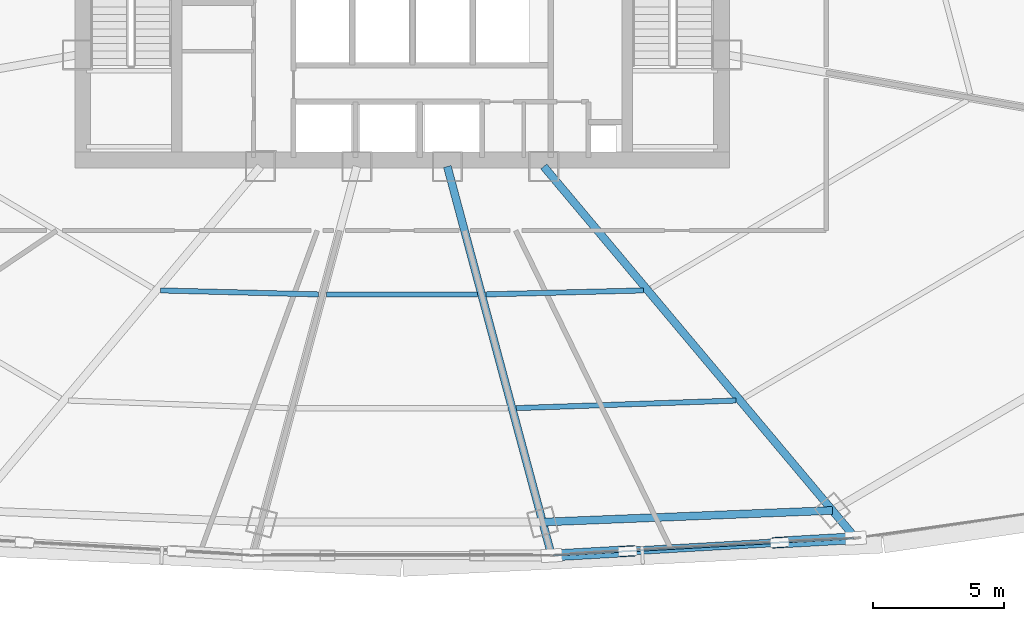
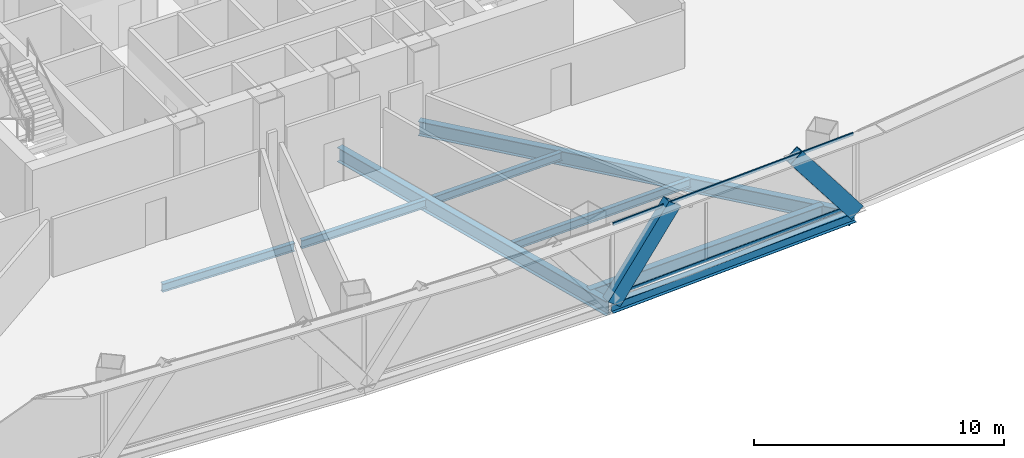
# One storey, part 13 of 41: 8 beams, 4 members, 1 element without a shape of its own.
"""IFC4 building model written with IfcOpenShell, lengths in metres."""

from ifc_helpers import new_model, si_unit, direction, frame, origin, origin_2d, place, context, subcontext, project, spatial, hollow_rectangle, i_section, extrude, source, transform, mapped, material, layer, layer_set, material_profile, profile_set, type_object, element, aggregate, save


model = new_model("IFC4")

# Units and contexts
model_context = context("Model", 3, precision=1e-05, world=origin(), true_north=direction((0.0, 1.0)))
body_context = subcontext(model_context, "Body", "Model", "MODEL_VIEW")
ifc_project = project(units=[si_unit("LENGTHUNIT", "METRE"), si_unit("AREAUNIT", "SQUARE_METRE"), si_unit("VOLUMEUNIT", "CUBIC_METRE"), si_unit("PLANEANGLEUNIT", "RADIAN"), si_unit("MASSUNIT", "GRAM", prefix="KILO"), si_unit("THERMODYNAMICTEMPERATUREUNIT", "KELVIN"), si_unit("POWERUNIT", "WATT")], contexts=[model_context])

# Site, building, storey
site_placement = place(None, origin())
site = spatial("IfcSite", under=ifc_project, at=site_placement, CompositionType="ELEMENT")
building_placement = place(site_placement, origin())
building = spatial("IfcBuilding", under=site, at=building_placement, Name="Yunzhuo Pagoda Commons", CompositionType="ELEMENT")
storey_placement = place(building_placement, frame((0.0, 0.0, 111.580078125)))
storey = spatial("IfcBuildingStorey", under=building, at=storey_placement, Name="L28", CompositionType="ELEMENT", Elevation=111.580078125)

# Beams
ifc_material_1 = material(Name="Structural steel Q355B", Category="steel")
ifc_material_profile_1 = material_profile(ifc_material_1, i_section(OverallWidth=0.300048828125, OverallDepth=0.699951171875, WebThickness=0.012939453125, FlangeThickness=0.02392578125, at=origin_2d()), Name="Structural steel Q355B")
ifc_profile_set_1 = profile_set([ifc_material_profile_1], Name="Structural steel Q355B")
beam_type_1 = type_object("IfcBeamType", Name="B-RG1 Beam HN 700x300x13x24", PredefinedType="BEAM", material=ifc_profile_set_1)
shared_shape_1 = source(origin(), body_context, "Body", "SweptSolid", [
    extrude(i_section(OverallWidth=0.300048828125, OverallDepth=0.699951171875, WebThickness=0.012939453125, FlangeThickness=0.02392578125, at=origin_2d()), origin(), (0.0, 0.0, 1.0), 11.077392578125),
])
beam_1_placement = place(storey_placement, frame((53.367431640625, 13.66845703125, -0.610107421875), z_axis=(0.999196975427, 0.040067496776, 0.0), x_axis=(-0.040067496776, 0.999196975427, 0.0)))
element("IfcBeam", 1, at=beam_1_placement, inside=storey, type_object=beam_type_1, Name="L28 column-ring beam 3", PredefinedType="BEAM", context=body_context, shape_type="MappedRepresentation", body=[
    mapped(shared_shape_1, transform((0.0, 0.0, 0.0), scale=1.0)),
])
ifc_material_profile_2 = material_profile(ifc_material_1, i_section(OverallWidth=0.199951171875, OverallDepth=0.39990234375, WebThickness=0.008056640625, FlangeThickness=0.012939453125, at=origin_2d()), Name="Structural steel Q355B")
ifc_profile_set_2 = profile_set([ifc_material_profile_2], Name="Structural steel Q355B")
beam_type_2 = type_object("IfcBeamType", Name="B-JS1 Joist HN 400x200x8x13", PredefinedType="JOIST", material=ifc_profile_set_2)
shared_shape_2 = source(origin(), body_context, "Body", "SweptSolid", [
    extrude(i_section(OverallWidth=0.199951171875, OverallDepth=0.39990234375, WebThickness=0.008056640625, FlangeThickness=0.012939453125, at=origin_2d()), origin(), (0.0, 0.0, 1.0), 6.026611328125),
])
for number, where, z_axis, x_axis, name in (
    (2, (38.778076171875, 22.516357421875, -0.4599609375), (0.99968248871, -0.025197654009, 0.0), (0.025197654009, 0.99968248871, 0.0), "L28 composite ring joist 1.1"),
    (3, (51.197265625, 22.364501953125, -0.4599609375), (0.99968248871, 0.025197654009, 0.0), (-0.025197654009, 0.99968248871, 0.0), "L28 composite ring joist 1.3"),
):
    element("IfcBeam", number, at=place(storey_placement, frame(where, z_axis=z_axis, x_axis=x_axis)), inside=storey, type_object=beam_type_2, Name=name, PredefinedType="JOIST", context=body_context, shape_type="MappedRepresentation", body=[
        mapped(shared_shape_2, transform((0.0, 0.0, 0.0), scale=1.0)),
    ])
shared_shape_3 = source(origin(), body_context, "Body", "SweptSolid", [
    extrude(i_section(OverallWidth=0.199951171875, OverallDepth=0.39990234375, WebThickness=0.008056640625, FlangeThickness=0.012939453125, at=origin_2d()), origin(), (0.0, 0.0, 1.0), 8.392822265625),
])
beam_2_placement = place(storey_placement, frame((52.36181640625, 18.020263671875, -0.4599609375), z_axis=(0.999400667027, 0.034616567521, 0.0), x_axis=(-0.034616567521, 0.999400667027, 0.0)))
element("IfcBeam", 4, at=beam_2_placement, inside=storey, type_object=beam_type_2, Name="L28 composite ring joist 2.3", PredefinedType="JOIST", context=body_context, shape_type="MappedRepresentation", body=[
    mapped(shared_shape_3, transform((0.0, 0.0, 0.0), scale=1.0)),
])
shared_shape_4 = source(origin(), body_context, "Body", "SweptSolid", [
    extrude(i_section(OverallWidth=0.199951171875, OverallDepth=0.39990234375, WebThickness=0.008056640625, FlangeThickness=0.012939453125, at=origin_2d()), origin(), (0.0, 0.0, 1.0), 5.7587890625),
])
beam_3_placement = place(storey_placement, frame((45.120849609375, 22.360595703125, -0.4599609375), z_axis=(1.0, 0.0, 0.0), x_axis=(0.0, 1.0, 0.0)))
element("IfcBeam", 5, at=beam_3_placement, inside=storey, type_object=beam_type_2, Name="L28 composite ring joist 1.2", PredefinedType="JOIST", context=body_context, shape_type="MappedRepresentation", body=[
    mapped(shared_shape_4, transform((0.0, 0.0, 0.0), scale=1.0)),
])
shared_shape_5 = source(origin(), body_context, "Body", "SweptSolid", [
    extrude(i_section(OverallWidth=0.300048828125, OverallDepth=0.699951171875, WebThickness=0.012939453125, FlangeThickness=0.02392578125, at=origin_2d()), origin(), (0.0, 0.0, 1.0), 18.376220703125),
])
beam_4_placement = place(storey_placement, frame((65.22412109375, 13.173095703125, -0.610107421875), z_axis=(-0.642790372457, 0.766042124871, 0.0), x_axis=(-0.766042124871, -0.642790372457, 0.0)))
element("IfcBeam", 6, at=beam_4_placement, inside=storey, type_object=beam_type_1, Name="L28 radial floor girder F1C4", PredefinedType="BEAM", context=body_context, shape_type="MappedRepresentation", body=[
    mapped(shared_shape_5, transform((0.0, 0.0, 0.0), scale=1.0)),
])
shared_shape_6 = source(origin(), body_context, "Body", "SweptSolid", [
    extrude(i_section(OverallWidth=0.300048828125, OverallDepth=0.699951171875, WebThickness=0.012939453125, FlangeThickness=0.02392578125, at=origin_2d()), origin(), (0.0, 0.0, 1.0), 15.227783203125),
])
beam_5_placement = place(storey_placement, frame((53.669677734375, 12.541015625, -0.610107421875), z_axis=(-0.258813017617, 0.965927441329, 0.0), x_axis=(-0.965927441329, -0.258813017617, 0.0)))
element("IfcBeam", 7, at=beam_5_placement, inside=storey, type_object=beam_type_1, Name="L28 radial floor girder F1C3", PredefinedType="BEAM", context=body_context, shape_type="MappedRepresentation", body=[
    mapped(shared_shape_6, transform((0.0, 0.0, 0.0), scale=1.0)),
])
ifc_material_profile_3 = material_profile(ifc_material_1, i_section(OverallWidth=0.300048828125, OverallDepth=0.488037109375, WebThickness=0.010986328125, FlangeThickness=0.01806640625, at=origin_2d()), Name="Structural steel Q355B")
ifc_profile_set_3 = profile_set([ifc_material_profile_3], Name="Structural steel Q355B")
beam_type_3 = type_object("IfcBeamType", Name="B-SP1 Beam HM 488x300x11x18", PredefinedType="BEAM", material=ifc_profile_set_3)
shared_shape_7 = source(origin(), body_context, "Body", "SweptSolid", [
    extrude(i_section(OverallWidth=0.300048828125, OverallDepth=0.488037109375, WebThickness=0.010986328125, FlangeThickness=0.01806640625, at=origin_2d()), origin(), (0.0, 0.0, 1.0), 11.63330078125),
])
beam_6_placement = place(storey_placement, frame((53.709716796875, 12.39111328125, -0.504150390625), z_axis=(0.998373007456, 0.057020504945, 0.0), x_axis=(-0.057020504945, 0.998373007456, 0.0)))
element("IfcBeam", 8, at=beam_6_placement, inside=storey, type_object=beam_type_3, Name="L28 facade edge spandrel beam F1.3", PredefinedType="BEAM", context=body_context, shape_type="MappedRepresentation", body=[
    mapped(shared_shape_7, transform((0.0, 0.0, 0.0), scale=1.0)),
])

# Members
ifc_material_2 = material(Name="Structural steel Q420B", Category="steel")
ifc_material_profile_4 = material_profile(ifc_material_2, hollow_rectangle(XDim=0.419921875, YDim=0.719970703125, WallThickness=0.028076171875, at=origin_2d()), Name="Structural steel Q420B")
ifc_profile_set_4 = profile_set([ifc_material_profile_4], Name="Structural steel Q420B")
member_type_1 = type_object("IfcMemberType", Name="M-DL1 Brace BOX 720x420x28", PredefinedType="BRACE", material=ifc_profile_set_4)
shared_shape_8 = source(origin(), body_context, "Body", "SweptSolid", [
    extrude(hollow_rectangle(XDim=0.419921875, YDim=0.719970703125, WallThickness=0.028076171875, at=origin_2d()), origin(), (0.0, 0.0, 1.0), 4.78515625),
])
member_1_placement = place(storey_placement, frame((53.709716796875, 12.39111328125, -0.260009765625), z_axis=(0.606774883065, 0.034642238762, 0.794118477669), x_axis=(-0.056999586574, 0.998374201956, 0.0)))
element("IfcMember", 9, at=member_1_placement, inside=storey, type_object=member_type_1, Name="L28 facade diamond brace F1.3L", PredefinedType="BRACE", context=body_context, shape_type="MappedRepresentation", body=[
    mapped(shared_shape_8, transform((0.0, 0.0, 0.0), scale=1.0)),
])
shared_shape_9 = source(origin(), body_context, "Body", "SweptSolid", [
    extrude(hollow_rectangle(XDim=0.419921875, YDim=0.719970703125, WallThickness=0.028076171875, at=origin_2d()), origin(), (0.0, 0.0, 1.0), 4.785400390625),
])
member_2_placement = place(storey_placement, frame((65.323974609375, 13.054443359375, -0.260009765625), z_axis=(-0.606806043714, -0.034692122896, 0.794092489525), x_axis=(0.057078475912, -0.998369694846, 0.0)))
element("IfcMember", 10, at=member_2_placement, inside=storey, type_object=member_type_1, Name="L28 facade diamond brace F1.3R", PredefinedType="BRACE", context=body_context, shape_type="MappedRepresentation", body=[
    mapped(shared_shape_9, transform((0.0, 0.0, 0.0), scale=1.0)),
])

# Curtain wall, members
ifc_material_3 = material(Name="Anodized aluminium 6063-T6", Category="aluminium")
ifc_layer = layer(ifc_material_3, 0.1650390625)
ifc_layer_set = layer_set([ifc_layer], Name="Anodized aluminium 6063-T6")
curtain_wall_type = type_object("IfcCurtainWallType", Name="CW-LOW Low-Zone Ribbon Curtain Wall", PredefinedType="NOTDEFINED", material=ifc_layer_set)
curtain_wall_placement = place(storey_placement, origin())
curtain_wall = element("IfcCurtainWall", 11, at=curtain_wall_placement, inside=storey, type_object=curtain_wall_type, Name="L28 curtain wall CW-L28-F1B4", PredefinedType="NOTDEFINED")
ifc_material_profile_5 = material_profile(ifc_material_3, hollow_rectangle(XDim=0.06005859375, YDim=0.139892578125, WallThickness=0.00341796875, at=origin_2d()), Name="Anodized aluminium 6063-T6")
ifc_profile_set_5 = profile_set([ifc_material_profile_5], Name="Anodized aluminium 6063-T6")
member_type_2 = type_object("IfcMemberType", Name="CW-LOW-T Transom RHS 140x60x3.5", PredefinedType="USERDEFINED", material=ifc_profile_set_5)
shared_shape_10 = source(origin(), body_context, "Body", "SweptSolid", [
    extrude(hollow_rectangle(XDim=0.06005859375, YDim=0.139892578125, WallThickness=0.00341796875, at=origin_2d()), origin(), (0.0, 0.0, 1.0), 11.5029296875),
])
member_3_placement = place(storey_placement, frame((53.774658203125, 12.394775390625, 0.030029296875), z_axis=(0.998372474019, 0.057029844123, 0.0), x_axis=(-0.057029844123, 0.998372474019, 0.0)))
member_3 = element("IfcMember", 12, at=member_3_placement, type_object=member_type_2, Name="CW transom 1.1", ObjectType="TRANSOM", PredefinedType="USERDEFINED", context=body_context, shape_type="MappedRepresentation", body=[
    mapped(shared_shape_10, transform((0.0, 0.0, 0.0), scale=1.0)),
])
member_4_placement = place(storey_placement, frame((53.774658203125, 12.394775390625, 3.510009765625), z_axis=(0.998372474019, 0.057029844123, 0.0), x_axis=(-0.057029844123, 0.998372474019, 0.0)))
member_4 = element("IfcMember", 13, at=member_4_placement, type_object=member_type_2, Name="CW transom 1.2", ObjectType="TRANSOM", PredefinedType="USERDEFINED", context=body_context, shape_type="MappedRepresentation", body=[
    mapped(shared_shape_10, transform((0.0, 0.0, 0.0), scale=1.0)),
])
aggregate(curtain_wall, [member_3, member_4])

save(model, "model.ifc")
